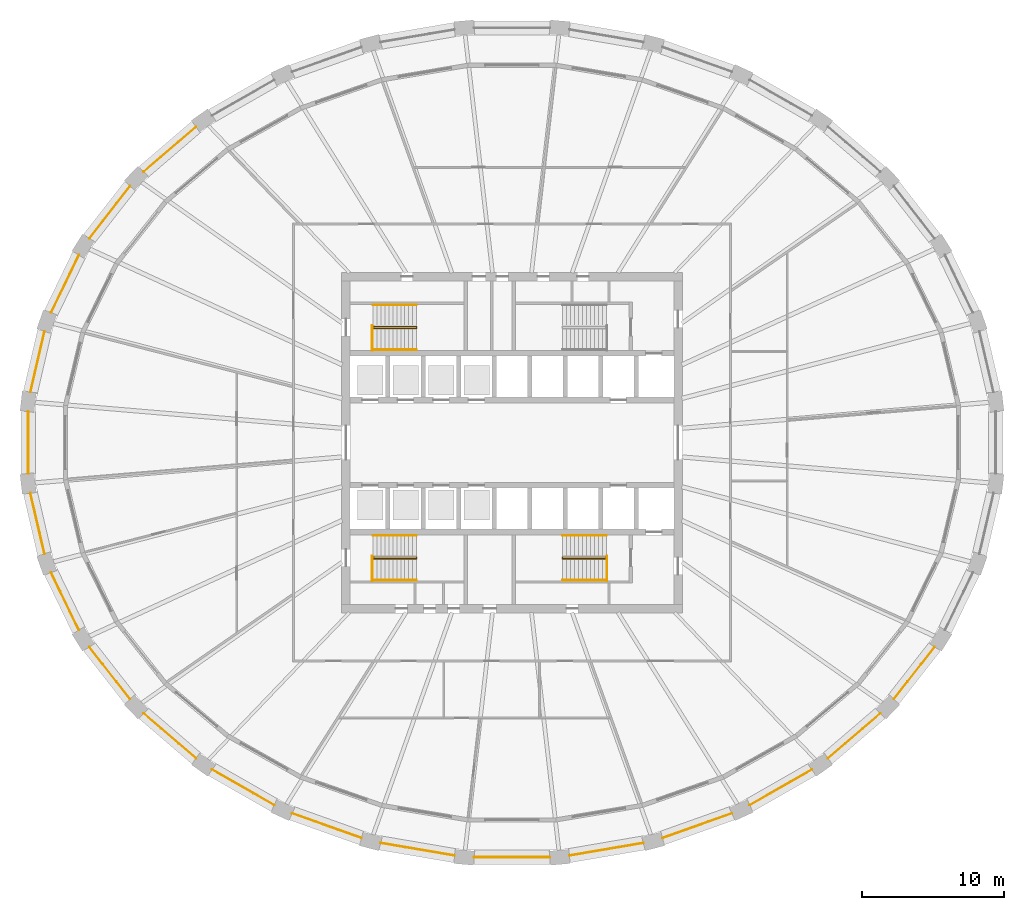
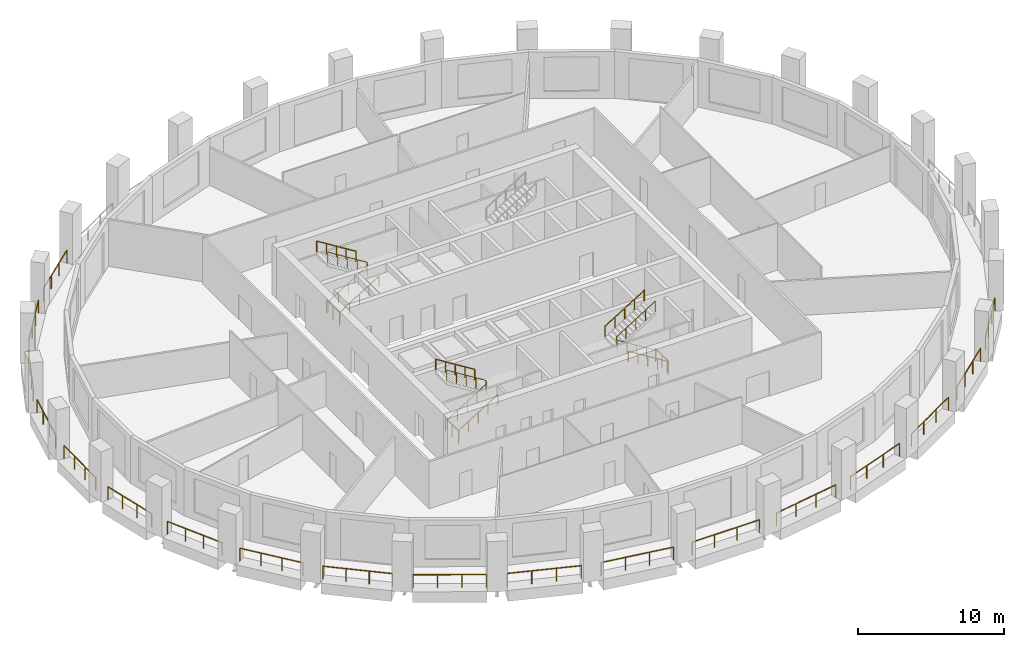
# One storey, part 9 of 11: 30 railings.
"""IFC4 building model written with IfcOpenShell, lengths in metres."""

from ifc_helpers import new_model, si_unit, direction, frame, origin, origin_2d, place, context, subcontext, project, spatial, circle, extrude, material, type_object, element, save


model = new_model("IFC4")

# Units and contexts
model_context = context("Model", 3, precision=1e-05, world=origin(), true_north=direction((0.0, 1.0)))
body_context = subcontext(model_context, "Body", "Model", "MODEL_VIEW")
ifc_project = project(units=[si_unit("LENGTHUNIT", "METRE"), si_unit("AREAUNIT", "SQUARE_METRE"), si_unit("VOLUMEUNIT", "CUBIC_METRE"), si_unit("PLANEANGLEUNIT", "RADIAN"), si_unit("MASSUNIT", "GRAM", prefix="KILO")], contexts=[model_context])

# Site, building, storey
site_placement = place(None, origin())
site = spatial("IfcSite", under=ifc_project, at=site_placement, CompositionType="ELEMENT")
building_placement = place(site_placement, origin())
building = spatial("IfcBuilding", under=site, at=building_placement, Name="Halqa Exchange Tower", CompositionType="ELEMENT")
storey_placement = place(building_placement, frame((0.0, 0.0, 142.300048828125)))
storey = spatial("IfcBuildingStorey", under=building, at=storey_placement, Name="L32", CompositionType="ELEMENT", Elevation=142.300048828125)

# Railings
ifc_material = material(Name="Stainless steel", Category="steel")
railing_type_1 = type_object("IfcRailingType", Name="Guard 1100 stainless steel", PredefinedType="GUARDRAIL", material=ifc_material)
railing_1_placement = place(storey_placement, frame((-22.267822265625, 22.24658203125, 0.0)))
element("IfcRailing", 1, at=railing_1_placement, inside=storey, type_object=railing_type_1, Name="Loggia guard 12", PredefinedType="GUARDRAIL", context=body_context, shape_type="SweptSolid", body=[
    extrude(circle(Radius=0.02392578125, at=origin_2d()), frame((0.0, 0.0, 1.076171875), z_axis=(-0.759277898417, -0.650766527239, 0.0), x_axis=(0.650766527239, -0.759277898417, 0.0)), (0.0, 0.0, 1.0), 4.855224609375),
    extrude(circle(Radius=0.02099609375, at=origin_2d()), origin(), (0.0, 0.0, 1.0), 1.052001953125),
    extrude(circle(Radius=0.02099609375, at=origin_2d()), frame((-1.228759765625, -1.05322265625, 0.0)), (0.0, 0.0, 1.0), 1.052001953125),
    extrude(circle(Radius=0.02099609375, at=origin_2d()), frame((-2.457763671875, -2.1064453125, 0.0)), (0.0, 0.0, 1.0), 1.052001953125),
    extrude(circle(Radius=0.02099609375, at=origin_2d()), frame((-3.6865234375, -3.15966796875, 0.0)), (0.0, 0.0, 1.0), 1.052001953125),
])
railing_2_placement = place(storey_placement, frame((-26.916259765625, 18.0791015625, 0.0)))
element("IfcRailing", 2, at=railing_2_placement, inside=storey, type_object=railing_type_1, Name="Loggia guard 13", PredefinedType="GUARDRAIL", context=body_context, shape_type="SweptSolid", body=[
    extrude(circle(Radius=0.02392578125, at=origin_2d()), frame((0.0, 0.0, 1.076171875), z_axis=(-0.614794475966, -0.788687360316, 0.0), x_axis=(0.788687360316, -0.614794475966, 0.0)), (0.0, 0.0, 1.0), 4.669677734375),
    extrude(circle(Radius=0.02099609375, at=origin_2d()), origin(), (0.0, 0.0, 1.0), 1.052001953125),
    extrude(circle(Radius=0.02099609375, at=origin_2d()), frame((-0.95703125, -1.2275390625, 0.0)), (0.0, 0.0, 1.0), 1.052001953125),
    extrude(circle(Radius=0.02099609375, at=origin_2d()), frame((-1.913818359375, -2.455322265625, 0.0)), (0.0, 0.0, 1.0), 1.052001953125),
    extrude(circle(Radius=0.02099609375, at=origin_2d()), frame((-2.870849609375, -3.682861328125, 0.0)), (0.0, 0.0, 1.0), 1.052001953125),
])
railing_3_placement = place(storey_placement, frame((-30.52197265625, 13.2138671875, 0.0)))
element("IfcRailing", 3, at=railing_3_placement, inside=storey, type_object=railing_type_1, Name="Loggia guard 14", PredefinedType="GUARDRAIL", context=body_context, shape_type="SweptSolid", body=[
    extrude(circle(Radius=0.02392578125, at=origin_2d()), frame((0.0, 0.0, 1.076171875), z_axis=(-0.435104993677, -0.900379722382, 0.0), x_axis=(0.900379722382, -0.435104993677, 0.0)), (0.0, 0.0, 1.0), 4.50732421875),
    extrude(circle(Radius=0.02099609375, at=origin_2d()), origin(), (0.0, 0.0, 1.0), 1.052001953125),
    extrude(circle(Radius=0.02099609375, at=origin_2d()), frame((-0.65380859375, -1.352783203125, 0.0)), (0.0, 0.0, 1.0), 1.052001953125),
    extrude(circle(Radius=0.02099609375, at=origin_2d()), frame((-1.307373046875, -2.70556640625, 0.0)), (0.0, 0.0, 1.0), 1.052001953125),
    extrude(circle(Radius=0.02099609375, at=origin_2d()), frame((-1.961181640625, -4.058349609375, 0.0)), (0.0, 0.0, 1.0), 1.052001953125),
])
railing_4_placement = place(storey_placement, frame((-32.946044921875, 7.84326171875, 0.0)))
element("IfcRailing", 4, at=railing_4_placement, inside=storey, type_object=railing_type_1, Name="Loggia guard 15", PredefinedType="GUARDRAIL", context=body_context, shape_type="SweptSolid", body=[
    extrude(circle(Radius=0.02392578125, at=origin_2d()), frame((0.0, 0.0, 1.076171875), z_axis=(-0.226063843212, -0.974112487751, 0.0), x_axis=(0.974112487751, -0.226063843212, 0.0)), (0.0, 0.0, 1.0), 4.396484375),
    extrude(circle(Radius=0.02099609375, at=origin_2d()), origin(), (0.0, 0.0, 1.0), 1.052001953125),
    extrude(circle(Radius=0.02099609375, at=origin_2d()), frame((-0.331298828125, -1.427490234375, 0.0)), (0.0, 0.0, 1.0), 1.052001953125),
    extrude(circle(Radius=0.02099609375, at=origin_2d()), frame((-0.66259765625, -2.855224609375, 0.0)), (0.0, 0.0, 1.0), 1.052001953125),
    extrude(circle(Radius=0.02099609375, at=origin_2d()), frame((-0.993896484375, -4.28271484375, 0.0)), (0.0, 0.0, 1.0), 1.052001953125),
])
railing_5_placement = place(storey_placement, frame((-34.09814453125, 2.1787109375, 0.0)))
element("IfcRailing", 5, at=railing_5_placement, inside=storey, type_object=railing_type_1, Name="Loggia guard 16", PredefinedType="GUARDRAIL", context=body_context, shape_type="SweptSolid", body=[
    extrude(circle(Radius=0.02392578125, at=origin_2d()), frame((0.0, 0.0, 1.076171875), z_axis=(0.0, -1.0, 0.0), x_axis=(1.0, 0.0, 0.0)), (0.0, 0.0, 1.0), 4.357421875),
    extrude(circle(Radius=0.02099609375, at=origin_2d()), origin(), (0.0, 0.0, 1.0), 1.052001953125),
    extrude(circle(Radius=0.02099609375, at=origin_2d()), frame((0.0, -1.452392578125, 0.0)), (0.0, 0.0, 1.0), 1.052001953125),
    extrude(circle(Radius=0.02099609375, at=origin_2d()), frame((0.0, -2.905029296875, 0.0)), (0.0, 0.0, 1.0), 1.052001953125),
    extrude(circle(Radius=0.02099609375, at=origin_2d()), frame((0.0, -4.357421875, 0.0)), (0.0, 0.0, 1.0), 1.052001953125),
])
railing_6_placement = place(storey_placement, frame((-33.93994140625, -3.560546875, 0.0)))
element("IfcRailing", 6, at=railing_6_placement, inside=storey, type_object=railing_type_1, Name="Loggia guard 17", PredefinedType="GUARDRAIL", context=body_context, shape_type="SweptSolid", body=[
    extrude(circle(Radius=0.02392578125, at=origin_2d()), frame((0.0, 0.0, 1.076171875), z_axis=(0.226063843212, -0.974112487751, 0.0), x_axis=(0.974112487751, 0.226063843212, 0.0)), (0.0, 0.0, 1.0), 4.396484375),
    extrude(circle(Radius=0.02099609375, at=origin_2d()), origin(), (0.0, 0.0, 1.0), 1.052001953125),
    extrude(circle(Radius=0.02099609375, at=origin_2d()), frame((0.331298828125, -1.427490234375, 0.0)), (0.0, 0.0, 1.0), 1.052001953125),
    extrude(circle(Radius=0.02099609375, at=origin_2d()), frame((0.66259765625, -2.855224609375, 0.0)), (0.0, 0.0, 1.0), 1.052001953125),
    extrude(circle(Radius=0.02099609375, at=origin_2d()), frame((0.993896484375, -4.28271484375, 0.0)), (0.0, 0.0, 1.0), 1.052001953125),
])
railing_7_placement = place(storey_placement, frame((-32.483154296875, -9.155517578125, 0.0)))
element("IfcRailing", 7, at=railing_7_placement, inside=storey, type_object=railing_type_1, Name="Loggia guard 18", PredefinedType="GUARDRAIL", context=body_context, shape_type="SweptSolid", body=[
    extrude(circle(Radius=0.02392578125, at=origin_2d()), frame((0.0, 0.0, 1.076171875), z_axis=(0.435104993677, -0.900379722382, 0.0), x_axis=(0.900379722382, 0.435104993677, 0.0)), (0.0, 0.0, 1.0), 4.50732421875),
    extrude(circle(Radius=0.02099609375, at=origin_2d()), origin(), (0.0, 0.0, 1.0), 1.052001953125),
    extrude(circle(Radius=0.02099609375, at=origin_2d()), frame((0.65380859375, -1.352783203125, 0.0)), (0.0, 0.0, 1.0), 1.052001953125),
    extrude(circle(Radius=0.02099609375, at=origin_2d()), frame((1.307373046875, -2.70556640625, 0.0)), (0.0, 0.0, 1.0), 1.052001953125),
    extrude(circle(Radius=0.02099609375, at=origin_2d()), frame((1.961181640625, -4.058349609375, 0.0)), (0.0, 0.0, 1.0), 1.052001953125),
])
railing_8_placement = place(storey_placement, frame((-29.787109375, -14.396240234375, 0.0)))
element("IfcRailing", 8, at=railing_8_placement, inside=storey, type_object=railing_type_1, Name="Loggia guard 19", PredefinedType="GUARDRAIL", context=body_context, shape_type="SweptSolid", body=[
    extrude(circle(Radius=0.02392578125, at=origin_2d()), frame((0.0, 0.0, 1.076171875), z_axis=(0.614794475966, -0.788687360316, 0.0), x_axis=(0.788687360316, 0.614794475966, 0.0)), (0.0, 0.0, 1.0), 4.669677734375),
    extrude(circle(Radius=0.02099609375, at=origin_2d()), origin(), (0.0, 0.0, 1.0), 1.052001953125),
    extrude(circle(Radius=0.02099609375, at=origin_2d()), frame((0.95703125, -1.2275390625, 0.0)), (0.0, 0.0, 1.0), 1.052001953125),
    extrude(circle(Radius=0.02099609375, at=origin_2d()), frame((1.913818359375, -2.455322265625, 0.0)), (0.0, 0.0, 1.0), 1.052001953125),
    extrude(circle(Radius=0.02099609375, at=origin_2d()), frame((2.870849609375, -3.682861328125, 0.0)), (0.0, 0.0, 1.0), 1.052001953125),
])
railing_9_placement = place(storey_placement, frame((-25.954345703125, -19.0869140625, 0.0)))
element("IfcRailing", 9, at=railing_9_placement, inside=storey, type_object=railing_type_1, Name="Loggia guard 20", PredefinedType="GUARDRAIL", context=body_context, shape_type="SweptSolid", body=[
    extrude(circle(Radius=0.02392578125, at=origin_2d()), frame((0.0, 0.0, 1.076171875), z_axis=(0.759277898417, -0.650766527239, 0.0), x_axis=(0.650766527239, 0.759277898417, 0.0)), (0.0, 0.0, 1.0), 4.855224609375),
    extrude(circle(Radius=0.02099609375, at=origin_2d()), origin(), (0.0, 0.0, 1.0), 1.052001953125),
    extrude(circle(Radius=0.02099609375, at=origin_2d()), frame((1.228759765625, -1.05322265625, 0.0)), (0.0, 0.0, 1.0), 1.052001953125),
    extrude(circle(Radius=0.02099609375, at=origin_2d()), frame((2.457763671875, -2.1064453125, 0.0)), (0.0, 0.0, 1.0), 1.052001953125),
    extrude(circle(Radius=0.02099609375, at=origin_2d()), frame((3.6865234375, -3.15966796875, 0.0)), (0.0, 0.0, 1.0), 1.052001953125),
])
railing_10_placement = place(storey_placement, frame((-21.12890625, -23.050048828125, 0.0)))
element("IfcRailing", 10, at=railing_10_placement, inside=storey, type_object=railing_type_1, Name="Loggia guard 21", PredefinedType="GUARDRAIL", context=body_context, shape_type="SweptSolid", body=[
    extrude(circle(Radius=0.02392578125, at=origin_2d()), frame((0.0, 0.0, 1.076171875), z_axis=(0.867762399845, -0.496979292743, 0.0), x_axis=(0.496979292743, 0.867762399845, 0.0)), (0.0, 0.0, 1.0), 5.035888671875),
    extrude(circle(Radius=0.02099609375, at=origin_2d()), origin(), (0.0, 0.0, 1.0), 1.052001953125),
    extrude(circle(Radius=0.02099609375, at=origin_2d()), frame((1.45654296875, -0.834228515625, 0.0)), (0.0, 0.0, 1.0), 1.052001953125),
    extrude(circle(Radius=0.02099609375, at=origin_2d()), frame((2.913330078125, -1.66845703125, 0.0)), (0.0, 0.0, 1.0), 1.052001953125),
    extrude(circle(Radius=0.02099609375, at=origin_2d()), frame((4.369873046875, -2.502685546875, 0.0)), (0.0, 0.0, 1.0), 1.052001953125),
])
railing_11_placement = place(storey_placement, frame((-15.491943359375, -26.135009765625, 0.0)))
element("IfcRailing", 11, at=railing_11_placement, inside=storey, type_object=railing_type_1, Name="Loggia guard 22", PredefinedType="GUARDRAIL", context=body_context, shape_type="SweptSolid", body=[
    extrude(circle(Radius=0.02392578125, at=origin_2d()), frame((0.0, 0.0, 1.076171875), z_axis=(0.942379387613, -0.334546095183, 0.0), x_axis=(0.334546095183, 0.942379387613, 0.0)), (0.0, 0.0, 1.0), 5.18505859375),
    extrude(circle(Radius=0.02099609375, at=origin_2d()), origin(), (0.0, 0.0, 1.0), 1.052001953125),
    extrude(circle(Radius=0.02099609375, at=origin_2d()), frame((1.628662109375, -0.578125, 0.0)), (0.0, 0.0, 1.0), 1.052001953125),
    extrude(circle(Radius=0.02099609375, at=origin_2d()), frame((3.257568359375, -1.156494140625, 0.0)), (0.0, 0.0, 1.0), 1.052001953125),
    extrude(circle(Radius=0.02099609375, at=origin_2d()), frame((4.88623046875, -1.734619140625, 0.0)), (0.0, 0.0, 1.0), 1.052001953125),
])
railing_12_placement = place(storey_placement, frame((-9.256103515625, -28.2216796875, 0.0)))
element("IfcRailing", 12, at=railing_12_placement, inside=storey, type_object=railing_type_1, Name="Loggia guard 23", PredefinedType="GUARDRAIL", context=body_context, shape_type="SweptSolid", body=[
    extrude(circle(Radius=0.02392578125, at=origin_2d()), frame((0.0, 0.0, 1.076171875), z_axis=(0.985781455071, -0.168032505304, 0.0), x_axis=(0.168032505304, 0.985781455071, 0.0)), (0.0, 0.0, 1.0), 5.282958984375),
    extrude(circle(Radius=0.02099609375, at=origin_2d()), origin(), (0.0, 0.0, 1.0), 1.052001953125),
    extrude(circle(Radius=0.02099609375, at=origin_2d()), frame((1.73583984375, -0.2958984375, 0.0)), (0.0, 0.0, 1.0), 1.052001953125),
    extrude(circle(Radius=0.02099609375, at=origin_2d()), frame((3.471923828125, -0.591796875, 0.0)), (0.0, 0.0, 1.0), 1.052001953125),
    extrude(circle(Radius=0.02099609375, at=origin_2d()), frame((5.207763671875, -0.8876953125, 0.0)), (0.0, 0.0, 1.0), 1.052001953125),
])
railing_13_placement = place(storey_placement, frame((-2.658447265625, -29.22705078125, 0.0)))
element("IfcRailing", 13, at=railing_13_placement, inside=storey, type_object=railing_type_1, Name="Loggia guard 24", PredefinedType="GUARDRAIL", context=body_context, shape_type="SweptSolid", body=[
    extrude(circle(Radius=0.02392578125, at=origin_2d()), frame((0.0, 0.0, 1.076171875), z_axis=(1.0, 0.0, 0.0), x_axis=(0.0, 1.0, 0.0)), (0.0, 0.0, 1.0), 5.31689453125),
    extrude(circle(Radius=0.02099609375, at=origin_2d()), origin(), (0.0, 0.0, 1.0), 1.052001953125),
    extrude(circle(Radius=0.02099609375, at=origin_2d()), frame((1.772216796875, 0.0, 0.0)), (0.0, 0.0, 1.0), 1.052001953125),
    extrude(circle(Radius=0.02099609375, at=origin_2d()), frame((3.544677734375, 0.0, 0.0)), (0.0, 0.0, 1.0), 1.052001953125),
    extrude(circle(Radius=0.02099609375, at=origin_2d()), frame((5.31689453125, 0.0, 0.0)), (0.0, 0.0, 1.0), 1.052001953125),
])
railing_14_placement = place(storey_placement, frame((4.04833984375, -29.109375, 0.0)))
element("IfcRailing", 14, at=railing_14_placement, inside=storey, type_object=railing_type_1, Name="Loggia guard 25", PredefinedType="GUARDRAIL", context=body_context, shape_type="SweptSolid", body=[
    extrude(circle(Radius=0.02392578125, at=origin_2d()), frame((0.0, 0.0, 1.076171875), z_axis=(0.985781455071, 0.168032505304, 0.0), x_axis=(-0.168032505304, 0.985781455071, 0.0)), (0.0, 0.0, 1.0), 5.282958984375),
    extrude(circle(Radius=0.02099609375, at=origin_2d()), origin(), (0.0, 0.0, 1.0), 1.052001953125),
    extrude(circle(Radius=0.02099609375, at=origin_2d()), frame((1.73583984375, 0.2958984375, 0.0)), (0.0, 0.0, 1.0), 1.052001953125),
    extrude(circle(Radius=0.02099609375, at=origin_2d()), frame((3.471923828125, 0.591796875, 0.0)), (0.0, 0.0, 1.0), 1.052001953125),
    extrude(circle(Radius=0.02099609375, at=origin_2d()), frame((5.207763671875, 0.8876953125, 0.0)), (0.0, 0.0, 1.0), 1.052001953125),
])
railing_15_placement = place(storey_placement, frame((10.605712890625, -27.86962890625, 0.0)))
element("IfcRailing", 15, at=railing_15_placement, inside=storey, type_object=railing_type_1, Name="Loggia guard 26", PredefinedType="GUARDRAIL", context=body_context, shape_type="SweptSolid", body=[
    extrude(circle(Radius=0.02392578125, at=origin_2d()), frame((0.0, 0.0, 1.076171875), z_axis=(0.942379387613, 0.334546095183, 0.0), x_axis=(-0.334546095183, 0.942379387613, 0.0)), (0.0, 0.0, 1.0), 5.18505859375),
    extrude(circle(Radius=0.02099609375, at=origin_2d()), origin(), (0.0, 0.0, 1.0), 1.052001953125),
    extrude(circle(Radius=0.02099609375, at=origin_2d()), frame((1.628662109375, 0.578125, 0.0)), (0.0, 0.0, 1.0), 1.052001953125),
    extrude(circle(Radius=0.02099609375, at=origin_2d()), frame((3.257568359375, 1.156494140625, 0.0)), (0.0, 0.0, 1.0), 1.052001953125),
    extrude(circle(Radius=0.02099609375, at=origin_2d()), frame((4.88623046875, 1.734619140625, 0.0)), (0.0, 0.0, 1.0), 1.052001953125),
])
railing_16_placement = place(storey_placement, frame((16.759033203125, -25.552734375, 0.0)))
element("IfcRailing", 16, at=railing_16_placement, inside=storey, type_object=railing_type_1, Name="Loggia guard 27", PredefinedType="GUARDRAIL", context=body_context, shape_type="SweptSolid", body=[
    extrude(circle(Radius=0.02392578125, at=origin_2d()), frame((0.0, 0.0, 1.076171875), z_axis=(0.867762399845, 0.496979292743, 0.0), x_axis=(-0.496979292743, 0.867762399845, 0.0)), (0.0, 0.0, 1.0), 5.035888671875),
    extrude(circle(Radius=0.02099609375, at=origin_2d()), origin(), (0.0, 0.0, 1.0), 1.052001953125),
    extrude(circle(Radius=0.02099609375, at=origin_2d()), frame((1.45654296875, 0.834228515625, 0.0)), (0.0, 0.0, 1.0), 1.052001953125),
    extrude(circle(Radius=0.02099609375, at=origin_2d()), frame((2.913330078125, 1.66845703125, 0.0)), (0.0, 0.0, 1.0), 1.052001953125),
    extrude(circle(Radius=0.02099609375, at=origin_2d()), frame((4.369873046875, 2.502685546875, 0.0)), (0.0, 0.0, 1.0), 1.052001953125),
])
railing_17_placement = place(storey_placement, frame((22.267822265625, -22.24658203125, 0.0)))
element("IfcRailing", 17, at=railing_17_placement, inside=storey, type_object=railing_type_1, Name="Loggia guard 28", PredefinedType="GUARDRAIL", context=body_context, shape_type="SweptSolid", body=[
    extrude(circle(Radius=0.02392578125, at=origin_2d()), frame((0.0, 0.0, 1.076171875), z_axis=(0.759277898417, 0.650766527239, 0.0), x_axis=(-0.650766527239, 0.759277898417, 0.0)), (0.0, 0.0, 1.0), 4.855224609375),
    extrude(circle(Radius=0.02099609375, at=origin_2d()), origin(), (0.0, 0.0, 1.0), 1.052001953125),
    extrude(circle(Radius=0.02099609375, at=origin_2d()), frame((1.228759765625, 1.05322265625, 0.0)), (0.0, 0.0, 1.0), 1.052001953125),
    extrude(circle(Radius=0.02099609375, at=origin_2d()), frame((2.457763671875, 2.1064453125, 0.0)), (0.0, 0.0, 1.0), 1.052001953125),
    extrude(circle(Radius=0.02099609375, at=origin_2d()), frame((3.6865234375, 3.15966796875, 0.0)), (0.0, 0.0, 1.0), 1.052001953125),
])
railing_18_placement = place(storey_placement, frame((26.916259765625, -18.0791015625, 0.0)))
element("IfcRailing", 18, at=railing_18_placement, inside=storey, type_object=railing_type_1, Name="Loggia guard 29", PredefinedType="GUARDRAIL", context=body_context, shape_type="SweptSolid", body=[
    extrude(circle(Radius=0.02392578125, at=origin_2d()), frame((0.0, 0.0, 1.076171875), z_axis=(0.614794475966, 0.788687360316, 0.0), x_axis=(-0.788687360316, 0.614794475966, 0.0)), (0.0, 0.0, 1.0), 4.669677734375),
    extrude(circle(Radius=0.02099609375, at=origin_2d()), origin(), (0.0, 0.0, 1.0), 1.052001953125),
    extrude(circle(Radius=0.02099609375, at=origin_2d()), frame((0.95703125, 1.2275390625, 0.0)), (0.0, 0.0, 1.0), 1.052001953125),
    extrude(circle(Radius=0.02099609375, at=origin_2d()), frame((1.913818359375, 2.455322265625, 0.0)), (0.0, 0.0, 1.0), 1.052001953125),
    extrude(circle(Radius=0.02099609375, at=origin_2d()), frame((2.870849609375, 3.682861328125, 0.0)), (0.0, 0.0, 1.0), 1.052001953125),
])
railing_type_2 = type_object("IfcRailingType", Name="Stair handrail 900", PredefinedType="HANDRAIL", material=ifc_material)
railing_19_placement = place(storey_placement, frame((-9.800048828125, 8.06005859375, 0.175048828125)))
element("IfcRailing", 19, at=railing_19_placement, inside=storey, type_object=railing_type_2, Name="Handrail ST1.1", PredefinedType="HANDRAIL", context=body_context, shape_type="SweptSolid", body=[
    extrude(circle(Radius=0.02392578125, at=origin_2d()), frame((0.0, 0.0, 0.8759765625), z_axis=(0.848028513186, 0.0, 0.529950602248), x_axis=(0.0, 1.0, 0.0)), (0.0, 0.0, 1.0), 3.632080078125),
    extrude(circle(Radius=0.02392578125, at=origin_2d()), frame((3.080078125, 0.0, 2.80078125), z_axis=(0.0, 0.595870227118, 0.803080738428), x_axis=(-1.0, 0.0, 0.0)), (0.0, 0.0, 1.0), 0.218017578125),
    extrude(circle(Radius=0.02392578125, at=origin_2d()), frame((3.080078125, 0.1298828125, 2.9755859375), z_axis=(-0.847998304005, 0.0, 0.529998940003), x_axis=(0.0, -1.0, 0.0)), (0.0, 0.0, 1.0), 3.632080078125),
    extrude(circle(Radius=0.02099609375, at=origin_2d()), origin(), (0.0, 0.0, 1.0), 0.851806640625),
    extrude(circle(Radius=0.02099609375, at=origin_2d()), frame((0.77001953125, 0.0, 0.481201171875)), (0.0, 0.0, 1.0), 0.851806640625),
    extrude(circle(Radius=0.02099609375, at=origin_2d()), frame((1.5400390625, 0.0, 0.96240234375)), (0.0, 0.0, 1.0), 0.851806640625),
    extrude(circle(Radius=0.02099609375, at=origin_2d()), frame((2.31005859375, 0.0, 1.443603515625)), (0.0, 0.0, 1.0), 0.851806640625),
    extrude(circle(Radius=0.02099609375, at=origin_2d()), frame((3.080078125, 0.0, 1.9248046875)), (0.0, 0.0, 1.0), 0.851806640625),
    extrude(circle(Radius=0.02099609375, at=origin_2d()), frame((3.080078125, 0.1298828125, 2.099853515625)), (0.0, 0.0, 1.0), 0.851806640625),
    extrude(circle(Radius=0.02099609375, at=origin_2d()), frame((2.31005859375, 0.1298828125, 2.5810546875)), (0.0, 0.0, 1.0), 0.851806640625),
    extrude(circle(Radius=0.02099609375, at=origin_2d()), frame((1.5400390625, 0.1298828125, 3.0625)), (0.0, 0.0, 1.0), 0.851806640625),
    extrude(circle(Radius=0.02099609375, at=origin_2d()), frame((0.77001953125, 0.1298828125, 3.543701171875)), (0.0, 0.0, 1.0), 0.851806640625),
    extrude(circle(Radius=0.02099609375, at=origin_2d()), frame((0.0, 0.1298828125, 4.02490234375)), (0.0, 0.0, 1.0), 0.851806640625),
])
railing_20_placement = place(storey_placement, frame((-9.800048828125, 6.550048828125, 0.175048828125)))
element("IfcRailing", 20, at=railing_20_placement, inside=storey, type_object=railing_type_2, Name="Handrail ST1.2", PredefinedType="HANDRAIL", context=body_context, shape_type="SweptSolid", body=[
    extrude(circle(Radius=0.02392578125, at=origin_2d()), frame((0.0, 0.0, 0.8759765625), z_axis=(0.848028513186, 0.0, 0.529950602248), x_axis=(0.0, 1.0, 0.0)), (0.0, 0.0, 1.0), 3.632080078125),
    extrude(circle(Radius=0.02099609375, at=origin_2d()), origin(), (0.0, 0.0, 1.0), 0.851806640625),
    extrude(circle(Radius=0.02099609375, at=origin_2d()), frame((0.77001953125, 0.0, 0.481201171875)), (0.0, 0.0, 1.0), 0.851806640625),
    extrude(circle(Radius=0.02099609375, at=origin_2d()), frame((1.5400390625, 0.0, 0.96240234375)), (0.0, 0.0, 1.0), 0.851806640625),
    extrude(circle(Radius=0.02099609375, at=origin_2d()), frame((2.31005859375, 0.0, 1.443603515625)), (0.0, 0.0, 1.0), 0.851806640625),
    extrude(circle(Radius=0.02099609375, at=origin_2d()), frame((3.080078125, 0.0, 1.9248046875)), (0.0, 0.0, 1.0), 0.851806640625),
])
railing_21_placement = place(storey_placement, frame((-6.719970703125, 9.699951171875, 2.27490234375)))
element("IfcRailing", 21, at=railing_21_placement, inside=storey, type_object=railing_type_2, Name="Handrail ST1.3", PredefinedType="HANDRAIL", context=body_context, shape_type="SweptSolid", body=[
    extrude(circle(Radius=0.02392578125, at=origin_2d()), frame((0.0, 0.0, 0.8759765625), z_axis=(-0.847998304005, 0.0, 0.529998940003), x_axis=(0.0, -1.0, 0.0)), (0.0, 0.0, 1.0), 3.632080078125),
    extrude(circle(Radius=0.02099609375, at=origin_2d()), origin(), (0.0, 0.0, 1.0), 0.851806640625),
    extrude(circle(Radius=0.02099609375, at=origin_2d()), frame((-0.77001953125, 0.0, 0.481201171875)), (0.0, 0.0, 1.0), 0.851806640625),
    extrude(circle(Radius=0.02099609375, at=origin_2d()), frame((-1.5400390625, 0.0, 0.96240234375)), (0.0, 0.0, 1.0), 0.851806640625),
    extrude(circle(Radius=0.02099609375, at=origin_2d()), frame((-2.31005859375, 0.0, 1.44384765625)), (0.0, 0.0, 1.0), 0.851806640625),
    extrude(circle(Radius=0.02099609375, at=origin_2d()), frame((-3.080078125, 0.0, 1.925048828125)), (0.0, 0.0, 1.0), 0.851806640625),
])
railing_22_placement = place(storey_placement, frame((-9.800048828125, -8.18994140625, 0.175048828125)))
element("IfcRailing", 22, at=railing_22_placement, inside=storey, type_object=railing_type_2, Name="Handrail ST3.1", PredefinedType="HANDRAIL", context=body_context, shape_type="SweptSolid", body=[
    extrude(circle(Radius=0.02392578125, at=origin_2d()), frame((0.0, 0.0, 0.8759765625), z_axis=(0.848028513186, 0.0, 0.529950602248), x_axis=(0.0, 1.0, 0.0)), (0.0, 0.0, 1.0), 3.632080078125),
    extrude(circle(Radius=0.02392578125, at=origin_2d()), frame((3.080078125, 0.0, 2.80078125), z_axis=(0.0, 0.595870227118, 0.803080738428), x_axis=(-1.0, 0.0, 0.0)), (0.0, 0.0, 1.0), 0.218017578125),
    extrude(circle(Radius=0.02392578125, at=origin_2d()), frame((3.080078125, 0.1298828125, 2.9755859375), z_axis=(-0.847998304005, 0.0, 0.529998940003), x_axis=(0.0, -1.0, 0.0)), (0.0, 0.0, 1.0), 3.632080078125),
    extrude(circle(Radius=0.02099609375, at=origin_2d()), origin(), (0.0, 0.0, 1.0), 0.851806640625),
    extrude(circle(Radius=0.02099609375, at=origin_2d()), frame((0.77001953125, 0.0, 0.481201171875)), (0.0, 0.0, 1.0), 0.851806640625),
    extrude(circle(Radius=0.02099609375, at=origin_2d()), frame((1.5400390625, 0.0, 0.96240234375)), (0.0, 0.0, 1.0), 0.851806640625),
    extrude(circle(Radius=0.02099609375, at=origin_2d()), frame((2.31005859375, 0.0, 1.443603515625)), (0.0, 0.0, 1.0), 0.851806640625),
    extrude(circle(Radius=0.02099609375, at=origin_2d()), frame((3.080078125, 0.0, 1.9248046875)), (0.0, 0.0, 1.0), 0.851806640625),
    extrude(circle(Radius=0.02099609375, at=origin_2d()), frame((3.080078125, 0.1298828125, 2.099853515625)), (0.0, 0.0, 1.0), 0.851806640625),
    extrude(circle(Radius=0.02099609375, at=origin_2d()), frame((2.31005859375, 0.1298828125, 2.5810546875)), (0.0, 0.0, 1.0), 0.851806640625),
    extrude(circle(Radius=0.02099609375, at=origin_2d()), frame((1.5400390625, 0.1298828125, 3.0625)), (0.0, 0.0, 1.0), 0.851806640625),
    extrude(circle(Radius=0.02099609375, at=origin_2d()), frame((0.77001953125, 0.1298828125, 3.543701171875)), (0.0, 0.0, 1.0), 0.851806640625),
    extrude(circle(Radius=0.02099609375, at=origin_2d()), frame((0.0, 0.1298828125, 4.02490234375)), (0.0, 0.0, 1.0), 0.851806640625),
])
railing_23_placement = place(storey_placement, frame((-9.800048828125, -9.699951171875, 0.175048828125)))
element("IfcRailing", 23, at=railing_23_placement, inside=storey, type_object=railing_type_2, Name="Handrail ST3.2", PredefinedType="HANDRAIL", context=body_context, shape_type="SweptSolid", body=[
    extrude(circle(Radius=0.02392578125, at=origin_2d()), frame((0.0, 0.0, 0.8759765625), z_axis=(0.848028513186, 0.0, 0.529950602248), x_axis=(0.0, 1.0, 0.0)), (0.0, 0.0, 1.0), 3.632080078125),
    extrude(circle(Radius=0.02099609375, at=origin_2d()), origin(), (0.0, 0.0, 1.0), 0.851806640625),
    extrude(circle(Radius=0.02099609375, at=origin_2d()), frame((0.77001953125, 0.0, 0.481201171875)), (0.0, 0.0, 1.0), 0.851806640625),
    extrude(circle(Radius=0.02099609375, at=origin_2d()), frame((1.5400390625, 0.0, 0.96240234375)), (0.0, 0.0, 1.0), 0.851806640625),
    extrude(circle(Radius=0.02099609375, at=origin_2d()), frame((2.31005859375, 0.0, 1.443603515625)), (0.0, 0.0, 1.0), 0.851806640625),
    extrude(circle(Radius=0.02099609375, at=origin_2d()), frame((3.080078125, 0.0, 1.9248046875)), (0.0, 0.0, 1.0), 0.851806640625),
])
railing_24_placement = place(storey_placement, frame((-6.719970703125, -6.550048828125, 2.27490234375)))
element("IfcRailing", 24, at=railing_24_placement, inside=storey, type_object=railing_type_2, Name="Handrail ST3.3", PredefinedType="HANDRAIL", context=body_context, shape_type="SweptSolid", body=[
    extrude(circle(Radius=0.02392578125, at=origin_2d()), frame((0.0, 0.0, 0.8759765625), z_axis=(-0.847998304005, 0.0, 0.529998940003), x_axis=(0.0, -1.0, 0.0)), (0.0, 0.0, 1.0), 3.632080078125),
    extrude(circle(Radius=0.02099609375, at=origin_2d()), origin(), (0.0, 0.0, 1.0), 0.851806640625),
    extrude(circle(Radius=0.02099609375, at=origin_2d()), frame((-0.77001953125, 0.0, 0.481201171875)), (0.0, 0.0, 1.0), 0.851806640625),
    extrude(circle(Radius=0.02099609375, at=origin_2d()), frame((-1.5400390625, 0.0, 0.96240234375)), (0.0, 0.0, 1.0), 0.851806640625),
    extrude(circle(Radius=0.02099609375, at=origin_2d()), frame((-2.31005859375, 0.0, 1.44384765625)), (0.0, 0.0, 1.0), 0.851806640625),
    extrude(circle(Radius=0.02099609375, at=origin_2d()), frame((-3.080078125, 0.0, 1.925048828125)), (0.0, 0.0, 1.0), 0.851806640625),
])
railing_25_placement = place(storey_placement, frame((6.64990234375, -8.18994140625, 0.175048828125)))
element("IfcRailing", 25, at=railing_25_placement, inside=storey, type_object=railing_type_2, Name="Handrail ST4.1", PredefinedType="HANDRAIL", context=body_context, shape_type="SweptSolid", body=[
    extrude(circle(Radius=0.02392578125, at=origin_2d()), frame((0.0, 0.0, 0.8759765625), z_axis=(-0.848009633417, 0.0, 0.529980812513), x_axis=(0.0, -1.0, 0.0)), (0.0, 0.0, 1.0), 3.6318359375),
    extrude(circle(Radius=0.02392578125, at=origin_2d()), frame((-3.079833984375, 0.0, 2.80078125), z_axis=(0.0, 0.595870227118, 0.803080738428), x_axis=(-1.0, 0.0, 0.0)), (0.0, 0.0, 1.0), 0.218017578125),
    extrude(circle(Radius=0.02392578125, at=origin_2d()), frame((-3.079833984375, 0.1298828125, 2.9755859375), z_axis=(0.847979421464, 0.0, 0.530029150871), x_axis=(0.0, 1.0, 0.0)), (0.0, 0.0, 1.0), 3.632080078125),
    extrude(circle(Radius=0.02099609375, at=origin_2d()), origin(), (0.0, 0.0, 1.0), 0.851806640625),
    extrude(circle(Radius=0.02099609375, at=origin_2d()), frame((-0.77001953125, 0.0, 0.481201171875)), (0.0, 0.0, 1.0), 0.851806640625),
    extrude(circle(Radius=0.02099609375, at=origin_2d()), frame((-1.5400390625, 0.0, 0.96240234375)), (0.0, 0.0, 1.0), 0.851806640625),
    extrude(circle(Radius=0.02099609375, at=origin_2d()), frame((-2.309814453125, 0.0, 1.443603515625)), (0.0, 0.0, 1.0), 0.851806640625),
    extrude(circle(Radius=0.02099609375, at=origin_2d()), frame((-3.079833984375, 0.0, 1.9248046875)), (0.0, 0.0, 1.0), 0.851806640625),
    extrude(circle(Radius=0.02099609375, at=origin_2d()), frame((-3.079833984375, 0.1298828125, 2.099853515625)), (0.0, 0.0, 1.0), 0.851806640625),
    extrude(circle(Radius=0.02099609375, at=origin_2d()), frame((-2.309814453125, 0.1298828125, 2.5810546875)), (0.0, 0.0, 1.0), 0.851806640625),
    extrude(circle(Radius=0.02099609375, at=origin_2d()), frame((-1.5400390625, 0.1298828125, 3.0625)), (0.0, 0.0, 1.0), 0.851806640625),
    extrude(circle(Radius=0.02099609375, at=origin_2d()), frame((-0.77001953125, 0.1298828125, 3.543701171875)), (0.0, 0.0, 1.0), 0.851806640625),
    extrude(circle(Radius=0.02099609375, at=origin_2d()), frame((0.0, 0.1298828125, 4.02490234375)), (0.0, 0.0, 1.0), 0.851806640625),
])
railing_26_placement = place(storey_placement, frame((6.64990234375, -9.699951171875, 0.175048828125)))
element("IfcRailing", 26, at=railing_26_placement, inside=storey, type_object=railing_type_2, Name="Handrail ST4.2", PredefinedType="HANDRAIL", context=body_context, shape_type="SweptSolid", body=[
    extrude(circle(Radius=0.02392578125, at=origin_2d()), frame((0.0, 0.0, 0.8759765625), z_axis=(-0.848009633417, 0.0, 0.529980812513), x_axis=(0.0, -1.0, 0.0)), (0.0, 0.0, 1.0), 3.6318359375),
    extrude(circle(Radius=0.02099609375, at=origin_2d()), origin(), (0.0, 0.0, 1.0), 0.851806640625),
    extrude(circle(Radius=0.02099609375, at=origin_2d()), frame((-0.77001953125, 0.0, 0.481201171875)), (0.0, 0.0, 1.0), 0.851806640625),
    extrude(circle(Radius=0.02099609375, at=origin_2d()), frame((-1.5400390625, 0.0, 0.96240234375)), (0.0, 0.0, 1.0), 0.851806640625),
    extrude(circle(Radius=0.02099609375, at=origin_2d()), frame((-2.309814453125, 0.0, 1.443603515625)), (0.0, 0.0, 1.0), 0.851806640625),
    extrude(circle(Radius=0.02099609375, at=origin_2d()), frame((-3.079833984375, 0.0, 1.9248046875)), (0.0, 0.0, 1.0), 0.851806640625),
])
railing_27_placement = place(storey_placement, frame((3.570068359375, -6.550048828125, 2.27490234375)))
element("IfcRailing", 27, at=railing_27_placement, inside=storey, type_object=railing_type_2, Name="Handrail ST4.3", PredefinedType="HANDRAIL", context=body_context, shape_type="SweptSolid", body=[
    extrude(circle(Radius=0.02392578125, at=origin_2d()), frame((0.0, 0.0, 0.8759765625), z_axis=(0.847979421464, 0.0, 0.530029150871), x_axis=(0.0, 1.0, 0.0)), (0.0, 0.0, 1.0), 3.632080078125),
    extrude(circle(Radius=0.02099609375, at=origin_2d()), origin(), (0.0, 0.0, 1.0), 0.851806640625),
    extrude(circle(Radius=0.02099609375, at=origin_2d()), frame((0.77001953125, 0.0, 0.481201171875)), (0.0, 0.0, 1.0), 0.851806640625),
    extrude(circle(Radius=0.02099609375, at=origin_2d()), frame((1.5400390625, 0.0, 0.96240234375)), (0.0, 0.0, 1.0), 0.851806640625),
    extrude(circle(Radius=0.02099609375, at=origin_2d()), frame((2.309814453125, 0.0, 1.44384765625)), (0.0, 0.0, 1.0), 0.851806640625),
    extrude(circle(Radius=0.02099609375, at=origin_2d()), frame((3.079833984375, 0.0, 1.925048828125)), (0.0, 0.0, 1.0), 0.851806640625),
])
railing_type_3 = type_object("IfcRailingType", Name="Stair well guard 1100", PredefinedType="GUARDRAIL", material=ifc_material)
for number, where, name in (
    (28, (-9.85009765625, 6.5, 0.0), "Guard ST1 well"),
    (29, (-9.85009765625, -9.75, 0.0), "Guard ST3 well"),
    (30, (6.699951171875, -9.75, 0.0), "Guard ST4 well"),
):
    element("IfcRailing", number, at=place(storey_placement, frame(where)), inside=storey, type_object=railing_type_3, Name=name, PredefinedType="GUARDRAIL", context=body_context, shape_type="SweptSolid", body=[
        extrude(circle(Radius=0.02392578125, at=origin_2d()), frame((0.0, 0.0, 1.076171875), z_axis=(0.0, 1.0, 0.0), x_axis=(-1.0, 0.0, 0.0)), (0.0, 0.0, 1.0), 1.75),
        extrude(circle(Radius=0.02099609375, at=origin_2d()), origin(), (0.0, 0.0, 1.0), 1.052001953125),
        extrude(circle(Radius=0.02099609375, at=origin_2d()), frame((0.0, 0.875, 0.0)), (0.0, 0.0, 1.0), 1.052001953125),
        extrude(circle(Radius=0.02099609375, at=origin_2d()), frame((0.0, 1.75, 0.0)), (0.0, 0.0, 1.0), 1.052001953125),
    ])

save(model, "model.ifc")
